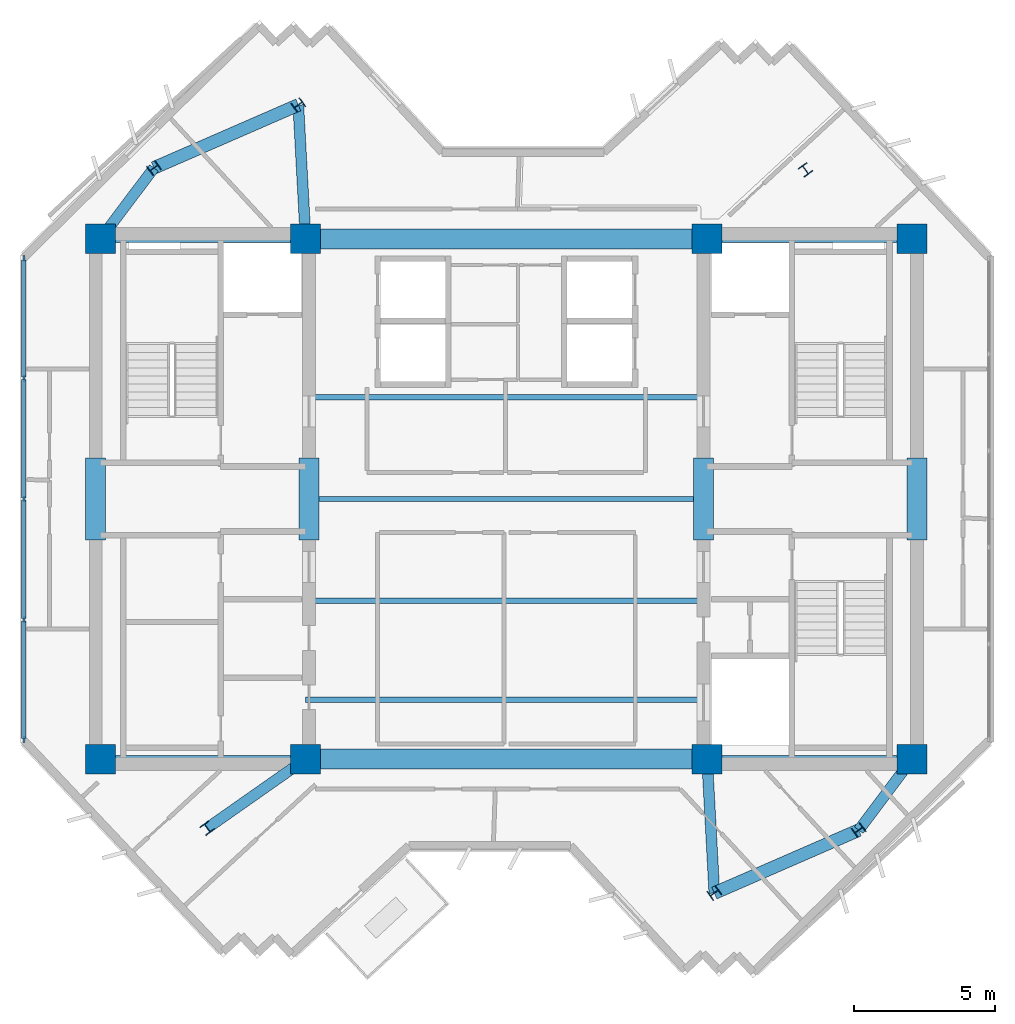
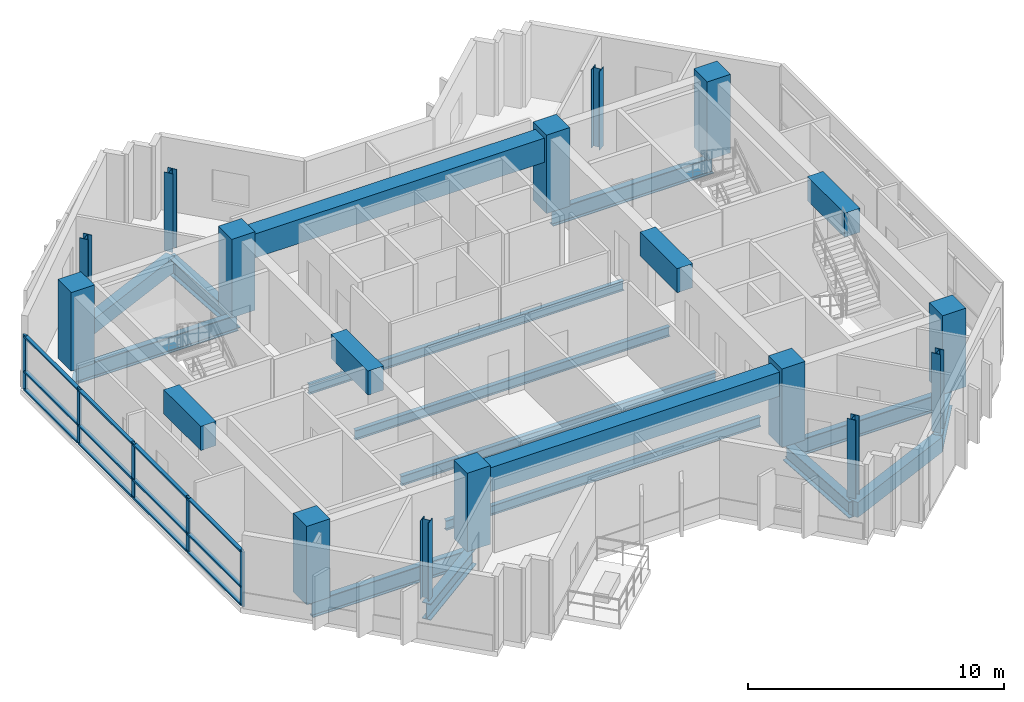
# One storey, part 1 of 9: 21 beams, 17 members, 14 columns, 1 element without a shape of its own.
"""IFC4 building model written with IfcOpenShell, lengths in metres."""

from ifc_helpers import new_model, si_unit, direction, frame, origin, origin_2d, place, context, subcontext, project, spatial, rectangle, i_section, extrude, source, transform, mapped, material, layer, layer_set, material_profile, profile_set, type_object, element, aggregate, save


model = new_model("IFC4")

# Units and contexts
model_context = context("Model", 3, precision=1e-05, world=origin(), true_north=direction((0.0, 1.0)))
body_context = subcontext(model_context, "Body", "Model", "MODEL_VIEW")
ifc_project = project(units=[si_unit("LENGTHUNIT", "METRE"), si_unit("AREAUNIT", "SQUARE_METRE"), si_unit("VOLUMEUNIT", "CUBIC_METRE"), si_unit("PLANEANGLEUNIT", "RADIAN"), si_unit("MASSUNIT", "GRAM", prefix="KILO")], contexts=[model_context])

# Site, building, storey
site_placement = place(None, origin())
site = spatial("IfcSite", under=ifc_project, at=site_placement, CompositionType="ELEMENT")
building_placement = place(site_placement, origin())
building = spatial("IfcBuilding", under=site, at=building_placement, Name="Zahravan Cultural Tower", CompositionType="ELEMENT")
storey_placement = place(building_placement, frame((0.0, 0.0, 291.60009765625)))
storey = spatial("IfcBuildingStorey", under=building, at=storey_placement, Name="L70", CompositionType="ELEMENT", Elevation=291.60009765625)

# Columns
ifc_material_1 = material(Name="Concrete C50/60", Category="concrete")
ifc_material_profile_1 = material_profile(ifc_material_1, rectangle(XDim=1.050048828125, YDim=1.050048828125, at=origin_2d()), Name="RC1050X1050")
ifc_profile_set_1 = profile_set([ifc_material_profile_1], Name="Concrete C50/60")
column_type_1 = type_object("IfcColumnType", Name="COL-RC1050", PredefinedType="COLUMN", material=ifc_profile_set_1)
shared_shape_1 = source(origin(), body_context, "Body", "SweptSolid", [
    extrude(rectangle(XDim=1.050048828125, YDim=1.050048828125, at=origin_2d()), origin(), (0.0, 0.0, 1.0), 3.75),
])
for number, where, z_axis, x_axis, name in (
    (1, (21.64990234375, 17.800048828125, 0.0), (0.0, 0.0, 1.0), (1.0, 0.0, 0.0), "L70 Column CC-W1"),
    (2, (28.89990234375, 17.800048828125, 0.0), (0.0, 0.0, 1.0), (1.0, 0.0, 0.0), "L70 Column CC-W2"),
    (3, (21.64990234375, 36.199951171875, 0.0), (0.0, 0.0, 1.0), (1.0, 0.0, 0.0), "L70 Column CC-W3"),
    (4, (28.89990234375, 36.199951171875, 0.0), (0.0, 0.0, 1.0), (1.0, 0.0, 0.0), "L70 Column CC-W4"),
    (5, (43.10009765625, 17.800048828125, 0.0), (0.0, 0.0, 1.0), (1.0, 0.0, 0.0), "L70 Column CC-E1"),
    (6, (50.35009765625, 17.800048828125, 0.0), (0.0, 0.0, 1.0), (1.0, 0.0, 0.0), "L70 Column CC-E2"),
    (7, (43.10009765625, 36.199951171875, 0.0), (0.0, 0.0, 1.0), (1.0, 0.0, 0.0), "L70 Column CC-E3"),
    (8, (50.35009765625, 36.199951171875, 0.0), (0.0, 0.0, 1.0), (1.0, 0.0, 0.0), "L70 Column CC-E4"),
):
    element("IfcColumn", number, at=place(storey_placement, frame(where, z_axis=z_axis, x_axis=x_axis)), inside=storey, type_object=column_type_1, Name=name, PredefinedType="COLUMN", context=body_context, shape_type="MappedRepresentation", body=[
        mapped(shared_shape_1, transform((0.0, 0.0, 0.0), x_axis=(1.0, 0.0, 0.0), y_axis=(0.0, 1.0, 0.0), z_axis=(0.0, 0.0, 1.0), scale=1.0)),
    ])
ifc_material_2 = material(Name="Steel ASTM A992 Grade 50", Category="steel")
ifc_material_profile_2 = material_profile(ifc_material_2, i_section(OverallWidth=0.3740234375, OverallDepth=0.3720703125, WebThickness=0.016357421875, FlangeThickness=0.026123046875, FilletRadius=0.01806640625, at=origin_2d()), Name="W14X132")
ifc_profile_set_2 = profile_set([ifc_material_profile_2], Name="Steel ASTM A992 Grade 50")
column_type_2 = type_object("IfcColumnType", Name="COL-W14X132", PredefinedType="COLUMN", material=ifc_profile_set_2)
shared_shape_2 = source(origin(), body_context, "Body", "SweptSolid", [
    extrude(i_section(OverallWidth=0.3740234375, OverallDepth=0.3720703125, WebThickness=0.016357421875, FlangeThickness=0.026123046875, FilletRadius=0.01806640625, at=origin_2d()), origin(), (0.0, 0.0, 1.0), 3.75),
])
for number, where, z_axis, x_axis, name in (
    (9, (46.577880859375, 38.640625, 0.0), (0.0, 0.0, 1.0), (0.809016994375, 0.587785252292, 0.0), "L70 Column Z3C-E2"),
    (10, (28.642578125, 40.937255859375, 0.0), (0.0, 0.0, 1.0), (-0.587785252292, 0.809016994375, 0.0), "L70 Column Z3C-N1"),
    (11, (23.536376953125, 38.710693359375, 0.0), (0.0, 0.0, 1.0), (-0.587785252292, 0.809016994375, 0.0), "L70 Column Z3C-N2"),
    (12, (25.422119140625, 15.359375, 0.0), (0.0, 0.0, 1.0), (0.809016994375, 0.587785252292, 0.0), "L70 Column Z3C-W2"),
    (13, (43.357421875, 13.062744140625, 0.0), (0.0, 0.0, 1.0), (-0.587785252292, 0.809016994375, 0.0), "L70 Column Z3C-S1"),
    (14, (48.463623046875, 15.289306640625, 0.0), (0.0, 0.0, 1.0), (-0.587785252292, 0.809016994375, 0.0), "L70 Column Z3C-S2"),
):
    element("IfcColumn", number, at=place(storey_placement, frame(where, z_axis=z_axis, x_axis=x_axis)), inside=storey, type_object=column_type_2, Name=name, PredefinedType="COLUMN", context=body_context, shape_type="MappedRepresentation", body=[
        mapped(shared_shape_2, transform((0.0, 0.0, 0.0), x_axis=(1.0, 0.0, 0.0), y_axis=(0.0, 1.0, 0.0), z_axis=(0.0, 0.0, 1.0), scale=1.0)),
    ])

# Beams
ifc_material_profile_3 = material_profile(ifc_material_1, rectangle(XDim=0.699951171875, YDim=1.14990234375, at=origin_2d()), Name="RC700X1150")
ifc_profile_set_3 = profile_set([ifc_material_profile_3], Name="Concrete C50/60")
beam_type_1 = type_object("IfcBeamType", Name="BM-LN-RC700X1150", PredefinedType="LINTEL", material=ifc_profile_set_3)
shared_shape_3 = source(origin(), body_context, "Body", "SweptSolid", [
    extrude(rectangle(XDim=0.699951171875, YDim=1.14990234375, at=origin_2d()), origin(), (0.0, 0.0, 1.0), 14.2001953125),
])
for number, where, z_axis, x_axis, name in (
    (15, (28.89990234375, 17.800048828125, 2.9248046875), (1.0, 0.0, 0.0), (0.0, 1.0, 0.0), "L70 Beam LN-L70-S"),
    (16, (28.89990234375, 36.199951171875, 2.9248046875), (1.0, 0.0, 0.0), (0.0, 1.0, 0.0), "L70 Beam LN-L70-N"),
):
    element("IfcBeam", number, at=place(storey_placement, frame(where, z_axis=z_axis, x_axis=x_axis)), inside=storey, type_object=beam_type_1, Name=name, PredefinedType="LINTEL", context=body_context, shape_type="MappedRepresentation", body=[
        mapped(shared_shape_3, transform((0.0, 0.0, 0.0), x_axis=(1.0, 0.0, 0.0), y_axis=(0.0, 1.0, 0.0), z_axis=(0.0, 0.0, 1.0), scale=1.0)),
    ])
shared_shape_4 = source(origin(), body_context, "Body", "SweptSolid", [
    extrude(rectangle(XDim=0.699951171875, YDim=1.14990234375, at=origin_2d()), origin(), (0.0, 0.0, 1.0), 2.89990234375),
])
for number, where, z_axis, x_axis, name in (
    (17, (21.47509765625, 25.550048828125, 2.9248046875), (0.0, 1.0, 0.0), (-1.0, 0.0, 0.0), "L70 Beam LN-L70-PWW"),
    (18, (29.02490234375, 25.550048828125, 2.9248046875), (0.0, 1.0, 0.0), (-1.0, 0.0, 0.0), "L70 Beam LN-L70-PWE"),
    (19, (42.97509765625, 25.550048828125, 2.9248046875), (0.0, 1.0, 0.0), (-1.0, 0.0, 0.0), "L70 Beam LN-L70-PEW"),
    (20, (50.52490234375, 25.550048828125, 2.9248046875), (0.0, 1.0, 0.0), (-1.0, 0.0, 0.0), "L70 Beam LN-L70-PEE"),
):
    element("IfcBeam", number, at=place(storey_placement, frame(where, z_axis=z_axis, x_axis=x_axis)), inside=storey, type_object=beam_type_1, Name=name, PredefinedType="LINTEL", context=body_context, shape_type="MappedRepresentation", body=[
        mapped(shared_shape_4, transform((0.0, 0.0, 0.0), x_axis=(1.0, 0.0, 0.0), y_axis=(0.0, 1.0, 0.0), z_axis=(0.0, 0.0, 1.0), scale=1.0)),
    ])
ifc_material_profile_4 = material_profile(ifc_material_2, i_section(OverallWidth=0.26611328125, OverallDepth=0.780029296875, WebThickness=0.0166015625, FlangeThickness=0.030029296875, FilletRadius=0.01904296875, at=origin_2d()), Name="W30X148")
ifc_profile_set_4 = profile_set([ifc_material_profile_4], Name="Steel ASTM A992 Grade 50")
beam_type_2 = type_object("IfcBeamType", Name="BM-G-W30X148", PredefinedType="BEAM", material=ifc_profile_set_4)
shared_shape_5 = source(origin(), body_context, "Body", "SweptSolid", [
    extrude(i_section(OverallWidth=0.26611328125, OverallDepth=0.780029296875, WebThickness=0.0166015625, FlangeThickness=0.030029296875, FilletRadius=0.01904296875, at=origin_2d()), origin(), (0.0, 0.0, 1.0), 7.25),
])
for number, where, z_axis, x_axis, name in (
    (21, (21.64990234375, 17.800048828125, -0.64013671875), (1.0, 0.0, 0.0), (0.0, 1.0, 0.0), "L70 Beam BG-L70-01"),
    (22, (21.64990234375, 36.199951171875, -0.64013671875), (1.0, 0.0, 0.0), (0.0, 1.0, 0.0), "L70 Beam BG-L70-02"),
    (23, (43.10009765625, 17.800048828125, -0.64013671875), (1.0, 0.0, 0.0), (0.0, 1.0, 0.0), "L70 Beam BG-L70-04"),
    (24, (43.10009765625, 36.199951171875, -0.64013671875), (1.0, 0.0, 0.0), (0.0, 1.0, 0.0), "L70 Beam BG-L70-05"),
):
    element("IfcBeam", number, at=place(storey_placement, frame(where, z_axis=z_axis, x_axis=x_axis)), inside=storey, type_object=beam_type_2, Name=name, PredefinedType="BEAM", context=body_context, shape_type="MappedRepresentation", body=[
        mapped(shared_shape_5, transform((0.0, 0.0, 0.0), x_axis=(1.0, 0.0, 0.0), y_axis=(0.0, 1.0, 0.0), z_axis=(0.0, 0.0, 1.0), scale=1.0)),
    ])
ifc_material_3 = material(Name="Concrete C45/55", Category="concrete")
ifc_material_profile_5 = material_profile(ifc_material_3, rectangle(XDim=0.449951171875, YDim=0.719970703125, at=origin_2d()), Name="RC450X720")
ifc_profile_set_5 = profile_set([ifc_material_profile_5], Name="Concrete C45/55")
beam_type_3 = type_object("IfcBeamType", Name="BM-SP-RC450X720", PredefinedType="SPANDREL", material=ifc_profile_set_5)
shared_shape_6 = source(origin(), body_context, "Body", "SweptSolid", [
    extrude(rectangle(XDim=0.449951171875, YDim=0.719970703125, at=origin_2d()), origin(), (0.0, 0.0, 1.0), 5.570556640625),
])
for number, where, z_axis, x_axis, name in (
    (25, (43.357421875, 13.062744140625, -0.610107421875), (0.9166445026, 0.399703459896, 0.0), (-0.399703459896, 0.9166445026, 0.0), "L70 Beam SP-L70-12"),
    (26, (28.642578125, 40.937255859375, -0.610107421875), (-0.9166445026, -0.399703459896, 0.0), (0.399703459896, -0.9166445026, 0.0), "L70 Beam SP-L70-13"),
):
    element("IfcBeam", number, at=place(storey_placement, frame(where, z_axis=z_axis, x_axis=x_axis)), inside=storey, type_object=beam_type_3, Name=name, PredefinedType="SPANDREL", context=body_context, shape_type="MappedRepresentation", body=[
        mapped(shared_shape_6, transform((0.0, 0.0, 0.0), x_axis=(1.0, 0.0, 0.0), y_axis=(0.0, 1.0, 0.0), z_axis=(0.0, 0.0, 1.0), scale=1.0)),
    ])
ifc_material_profile_6 = material_profile(ifc_material_2, i_section(OverallWidth=0.18994140625, OverallDepth=0.45703125, WebThickness=0.009033203125, FlangeThickness=0.014404296875, FilletRadius=0.012939453125, at=origin_2d()), Name="W18X50")
ifc_profile_set_6 = profile_set([ifc_material_profile_6], Name="Steel ASTM A992 Grade 50")
beam_type_4 = type_object("IfcBeamType", Name="BM-J-W18X50", PredefinedType="JOIST", material=ifc_profile_set_6)
shared_shape_7 = source(origin(), body_context, "Body", "SweptSolid", [
    extrude(i_section(OverallWidth=0.18994140625, OverallDepth=0.45703125, WebThickness=0.009033203125, FlangeThickness=0.014404296875, FilletRadius=0.012939453125, at=origin_2d()), origin(), (0.0, 0.0, 1.0), 14.2001953125),
])
for number, where, z_axis, x_axis, name in (
    (27, (28.89990234375, 19.89990234375, -0.478515625), (1.0, 0.0, 0.0), (0.0, 1.0, 0.0), "L70 Beam BJ-L70-14"),
    (28, (28.89990234375, 23.39990234375, -0.478515625), (1.0, 0.0, 0.0), (0.0, 1.0, 0.0), "L70 Beam BJ-L70-15"),
    (29, (28.89990234375, 27.0, -0.478515625), (1.0, 0.0, 0.0), (0.0, 1.0, 0.0), "L70 Beam BJ-L70-16"),
    (30, (28.89990234375, 30.60009765625, -0.478515625), (1.0, 0.0, 0.0), (0.0, 1.0, 0.0), "L70 Beam BJ-L70-17"),
):
    element("IfcBeam", number, at=place(storey_placement, frame(where, z_axis=z_axis, x_axis=x_axis)), inside=storey, type_object=beam_type_4, Name=name, PredefinedType="JOIST", context=body_context, shape_type="MappedRepresentation", body=[
        mapped(shared_shape_7, transform((0.0, 0.0, 0.0), x_axis=(1.0, 0.0, 0.0), y_axis=(0.0, 1.0, 0.0), z_axis=(0.0, 0.0, 1.0), scale=1.0)),
    ])
ifc_material_profile_7 = material_profile(ifc_material_2, i_section(OverallWidth=0.382080078125, OverallDepth=0.779052734375, WebThickness=0.01806640625, FlangeThickness=0.030029296875, FilletRadius=0.01904296875, at=origin_2d()), Name="W30X191")
ifc_profile_set_7 = profile_set([ifc_material_profile_7], Name="Steel ASTM A992 Grade 50")
beam_type_5 = type_object("IfcBeamType", Name="BM-G-W30X191", PredefinedType="BEAM", material=ifc_profile_set_7)
shared_shape_8 = source(origin(), body_context, "Body", "SweptSolid", [
    extrude(i_section(OverallWidth=0.382080078125, OverallDepth=0.779052734375, WebThickness=0.01806640625, FlangeThickness=0.030029296875, FilletRadius=0.01904296875, at=origin_2d()), origin(), (0.0, 0.0, 1.0), 4.248779296875),
])
beam_placement = place(storey_placement, frame((28.89990234375, 17.800048828125, -0.6396484375), z_axis=(-0.81854294596, -0.574445337365, 0.0), x_axis=(0.574445337365, -0.81854294596, 0.0)))
element("IfcBeam", 31, at=beam_placement, inside=storey, type_object=beam_type_5, Name="L70 Beam BG-L70-07", PredefinedType="BEAM", context=body_context, shape_type="MappedRepresentation", body=[
    mapped(shared_shape_8, transform((0.0, 0.0, 0.0), x_axis=(1.0, 0.0, 0.0), y_axis=(0.0, 1.0, 0.0), z_axis=(0.0, 0.0, 1.0), scale=1.0)),
])
shared_shape_9 = source(origin(), body_context, "Body", "SweptSolid", [
    extrude(i_section(OverallWidth=0.382080078125, OverallDepth=0.779052734375, WebThickness=0.01806640625, FlangeThickness=0.030029296875, FilletRadius=0.01904296875, at=origin_2d()), origin(), (0.0, 0.0, 1.0), 4.744384765625),
])
for number, where, z_axis, x_axis, name in (
    (32, (43.10009765625, 17.800048828125, -0.6396484375), (0.054238739845, -0.998527996152, 0.0), (0.998527996152, 0.054238739845, 0.0), "L70 Beam BG-L70-08"),
    (33, (28.89990234375, 36.199951171875, -0.6396484375), (-0.054238739845, 0.998527996152, 0.0), (-0.998527996152, -0.054238739845, 0.0), "L70 Beam BG-L70-10"),
):
    element("IfcBeam", number, at=place(storey_placement, frame(where, z_axis=z_axis, x_axis=x_axis)), inside=storey, type_object=beam_type_5, Name=name, PredefinedType="BEAM", context=body_context, shape_type="MappedRepresentation", body=[
        mapped(shared_shape_9, transform((0.0, 0.0, 0.0), x_axis=(1.0, 0.0, 0.0), y_axis=(0.0, 1.0, 0.0), z_axis=(0.0, 0.0, 1.0), scale=1.0)),
    ])
shared_shape_10 = source(origin(), body_context, "Body", "SweptSolid", [
    extrude(i_section(OverallWidth=0.382080078125, OverallDepth=0.779052734375, WebThickness=0.01806640625, FlangeThickness=0.030029296875, FilletRadius=0.01904296875, at=origin_2d()), origin(), (0.0, 0.0, 1.0), 3.140380859375),
])
for number, where, z_axis, x_axis, name in (
    (34, (50.35009765625, 17.800048828125, -0.6396484375), (-0.600696322208, -0.799477284534, 0.0), (0.799477284534, -0.600696322208, 0.0), "L70 Beam BG-L70-09"),
    (35, (21.64990234375, 36.199951171875, -0.6396484375), (0.600696322208, 0.799477284534, 0.0), (-0.799477284534, 0.600696322208, 0.0), "L70 Beam BG-L70-11"),
):
    element("IfcBeam", number, at=place(storey_placement, frame(where, z_axis=z_axis, x_axis=x_axis)), inside=storey, type_object=beam_type_5, Name=name, PredefinedType="BEAM", context=body_context, shape_type="MappedRepresentation", body=[
        mapped(shared_shape_10, transform((0.0, 0.0, 0.0), x_axis=(1.0, 0.0, 0.0), y_axis=(0.0, 1.0, 0.0), z_axis=(0.0, 0.0, 1.0), scale=1.0)),
    ])

# Curtain wall, members
ifc_material_4 = material(Name="Anodised bronze-aluminium mullion", Category="aluminium")
ifc_layer = layer(ifc_material_4, 0.219970703125)
ifc_layer_set = layer_set([ifc_layer], Name="Anodised bronze-aluminium mullion")
curtain_wall_type = type_object("IfcCurtainWallType", Name="CW-SYS-1", PredefinedType="USERDEFINED", material=ifc_layer_set)
curtain_wall_placement = place(storey_placement, origin())
curtain_wall = element("IfcCurtainWall", 36, at=curtain_wall_placement, inside=storey, type_object=curtain_wall_type, Name="L70 Recessed Curtain Wall CW-1.2", ObjectType="RECESSED GLAZING", PredefinedType="USERDEFINED")
ifc_material_profile_8 = material_profile(ifc_material_4, rectangle(XDim=0.080078125, YDim=0.219970703125, at=origin_2d()), Name="AL-M80X220")
ifc_profile_set_8 = profile_set([ifc_material_profile_8], Name="Anodised bronze-aluminium mullion")
member_type_1 = type_object("IfcMemberType", Name="CWM-CW-1", PredefinedType="MULLION", material=ifc_profile_set_8)
shared_shape_11 = source(origin(), body_context, "Body", "SweptSolid", [
    extrude(rectangle(XDim=0.080078125, YDim=0.219970703125, at=origin_2d()), origin(), (0.0, 0.0, 1.0), 2.619873046875),
])
member_1_placement = place(storey_placement, frame((18.93994140625, 18.498046875, 0.0), z_axis=(0.0, 0.0, 1.0), x_axis=(-1.0, 0.0, 0.0)))
member_1 = element("IfcMember", 37, at=member_1_placement, type_object=member_type_1, Name="CW-1 mullion 1", PredefinedType="MULLION", context=body_context, shape_type="MappedRepresentation", body=[
    mapped(shared_shape_11, transform((0.0, 0.0, 0.0), x_axis=(1.0, 0.0, 0.0), y_axis=(0.0, 1.0, 0.0), z_axis=(0.0, 0.0, 1.0), scale=1.0)),
])
member_2_placement = place(storey_placement, frame((18.93994140625, 22.72900390625, 0.0), z_axis=(0.0, 0.0, 1.0), x_axis=(-1.0, 0.0, 0.0)))
member_2 = element("IfcMember", 38, at=member_2_placement, type_object=member_type_1, Name="CW-1 mullion 2", PredefinedType="MULLION", context=body_context, shape_type="MappedRepresentation", body=[
    mapped(shared_shape_11, transform((0.0, 0.0, 0.0), x_axis=(1.0, 0.0, 0.0), y_axis=(0.0, 1.0, 0.0), z_axis=(0.0, 0.0, 1.0), scale=1.0)),
])
member_3_placement = place(storey_placement, frame((18.93994140625, 27.0, 0.0), z_axis=(0.0, 0.0, 1.0), x_axis=(-1.0, 0.0, 0.0)))
member_3 = element("IfcMember", 39, at=member_3_placement, type_object=member_type_1, Name="CW-1 mullion 3", PredefinedType="MULLION", context=body_context, shape_type="MappedRepresentation", body=[
    mapped(shared_shape_11, transform((0.0, 0.0, 0.0), x_axis=(1.0, 0.0, 0.0), y_axis=(0.0, 1.0, 0.0), z_axis=(0.0, 0.0, 1.0), scale=1.0)),
])
member_4_placement = place(storey_placement, frame((18.93994140625, 31.27099609375, 0.0), z_axis=(0.0, 0.0, 1.0), x_axis=(-1.0, 0.0, 0.0)))
member_4 = element("IfcMember", 40, at=member_4_placement, type_object=member_type_1, Name="CW-1 mullion 4", PredefinedType="MULLION", context=body_context, shape_type="MappedRepresentation", body=[
    mapped(shared_shape_11, transform((0.0, 0.0, 0.0), x_axis=(1.0, 0.0, 0.0), y_axis=(0.0, 1.0, 0.0), z_axis=(0.0, 0.0, 1.0), scale=1.0)),
])
member_5_placement = place(storey_placement, frame((18.93994140625, 35.501953125, 0.0), z_axis=(0.0, 0.0, 1.0), x_axis=(-1.0, 0.0, 0.0)))
member_5 = element("IfcMember", 41, at=member_5_placement, type_object=member_type_1, Name="CW-1 mullion 5", PredefinedType="MULLION", context=body_context, shape_type="MappedRepresentation", body=[
    mapped(shared_shape_11, transform((0.0, 0.0, 0.0), x_axis=(1.0, 0.0, 0.0), y_axis=(0.0, 1.0, 0.0), z_axis=(0.0, 0.0, 1.0), scale=1.0)),
])
ifc_material_profile_9 = material_profile(ifc_material_4, rectangle(XDim=0.159912109375, YDim=0.080078125, at=origin_2d()), Name="AL-T80X160")
ifc_profile_set_9 = profile_set([ifc_material_profile_9], Name="Anodised bronze-aluminium mullion")
member_type_2 = type_object("IfcMemberType", Name="CWT-CW-1", PredefinedType="USERDEFINED", material=ifc_profile_set_9)
shared_shape_12 = source(origin(), body_context, "Body", "SweptSolid", [
    extrude(rectangle(XDim=0.159912109375, YDim=0.080078125, at=origin_2d()), origin(), (0.0, 0.0, 1.0), 4.15087890625),
])
member_6_placement = place(storey_placement, frame((18.93994140625, 18.5380859375, 0.039794921875), z_axis=(0.0, 1.0, 0.0), x_axis=(-1.0, 0.0, 0.0)))
member_6 = element("IfcMember", 42, at=member_6_placement, type_object=member_type_2, Name="CW-1 transom 1.1", ObjectType="TRANSOM", PredefinedType="USERDEFINED", context=body_context, shape_type="MappedRepresentation", body=[
    mapped(shared_shape_12, transform((0.0, 0.0, 0.0), x_axis=(1.0, 0.0, 0.0), y_axis=(0.0, 1.0, 0.0), z_axis=(0.0, 0.0, 1.0), scale=1.0)),
])
member_7_placement = place(storey_placement, frame((18.93994140625, 18.5380859375, 0.89990234375), z_axis=(0.0, 1.0, 0.0), x_axis=(-1.0, 0.0, 0.0)))
member_7 = element("IfcMember", 43, at=member_7_placement, type_object=member_type_2, Name="CW-1 transom 1.2", ObjectType="TRANSOM", PredefinedType="USERDEFINED", context=body_context, shape_type="MappedRepresentation", body=[
    mapped(shared_shape_12, transform((0.0, 0.0, 0.0), x_axis=(1.0, 0.0, 0.0), y_axis=(0.0, 1.0, 0.0), z_axis=(0.0, 0.0, 1.0), scale=1.0)),
])
member_8_placement = place(storey_placement, frame((18.93994140625, 18.5380859375, 2.579833984375), z_axis=(0.0, 1.0, 0.0), x_axis=(-1.0, 0.0, 0.0)))
member_8 = element("IfcMember", 44, at=member_8_placement, type_object=member_type_2, Name="CW-1 transom 1.3", ObjectType="TRANSOM", PredefinedType="USERDEFINED", context=body_context, shape_type="MappedRepresentation", body=[
    mapped(shared_shape_12, transform((0.0, 0.0, 0.0), x_axis=(1.0, 0.0, 0.0), y_axis=(0.0, 1.0, 0.0), z_axis=(0.0, 0.0, 1.0), scale=1.0)),
])
member_9_placement = place(storey_placement, frame((18.93994140625, 31.31103515625, 0.039794921875), z_axis=(0.0, 1.0, 0.0), x_axis=(-1.0, 0.0, 0.0)))
member_9 = element("IfcMember", 45, at=member_9_placement, type_object=member_type_2, Name="CW-1 transom 4.1", ObjectType="TRANSOM", PredefinedType="USERDEFINED", context=body_context, shape_type="MappedRepresentation", body=[
    mapped(shared_shape_12, transform((0.0, 0.0, 0.0), x_axis=(1.0, 0.0, 0.0), y_axis=(0.0, 1.0, 0.0), z_axis=(0.0, 0.0, 1.0), scale=1.0)),
])
member_10_placement = place(storey_placement, frame((18.93994140625, 31.31103515625, 0.89990234375), z_axis=(0.0, 1.0, 0.0), x_axis=(-1.0, 0.0, 0.0)))
member_10 = element("IfcMember", 46, at=member_10_placement, type_object=member_type_2, Name="CW-1 transom 4.2", ObjectType="TRANSOM", PredefinedType="USERDEFINED", context=body_context, shape_type="MappedRepresentation", body=[
    mapped(shared_shape_12, transform((0.0, 0.0, 0.0), x_axis=(1.0, 0.0, 0.0), y_axis=(0.0, 1.0, 0.0), z_axis=(0.0, 0.0, 1.0), scale=1.0)),
])
member_11_placement = place(storey_placement, frame((18.93994140625, 31.31103515625, 2.579833984375), z_axis=(0.0, 1.0, 0.0), x_axis=(-1.0, 0.0, 0.0)))
member_11 = element("IfcMember", 47, at=member_11_placement, type_object=member_type_2, Name="CW-1 transom 4.3", ObjectType="TRANSOM", PredefinedType="USERDEFINED", context=body_context, shape_type="MappedRepresentation", body=[
    mapped(shared_shape_12, transform((0.0, 0.0, 0.0), x_axis=(1.0, 0.0, 0.0), y_axis=(0.0, 1.0, 0.0), z_axis=(0.0, 0.0, 1.0), scale=1.0)),
])
shared_shape_13 = source(origin(), body_context, "Body", "SweptSolid", [
    extrude(rectangle(XDim=0.159912109375, YDim=0.080078125, at=origin_2d()), origin(), (0.0, 0.0, 1.0), 4.19091796875),
])
member_12_placement = place(storey_placement, frame((18.93994140625, 22.76904296875, 0.039794921875), z_axis=(0.0, 1.0, 0.0), x_axis=(-1.0, 0.0, 0.0)))
member_12 = element("IfcMember", 48, at=member_12_placement, type_object=member_type_2, Name="CW-1 transom 2.1", ObjectType="TRANSOM", PredefinedType="USERDEFINED", context=body_context, shape_type="MappedRepresentation", body=[
    mapped(shared_shape_13, transform((0.0, 0.0, 0.0), x_axis=(1.0, 0.0, 0.0), y_axis=(0.0, 1.0, 0.0), z_axis=(0.0, 0.0, 1.0), scale=1.0)),
])
member_13_placement = place(storey_placement, frame((18.93994140625, 22.76904296875, 0.89990234375), z_axis=(0.0, 1.0, 0.0), x_axis=(-1.0, 0.0, 0.0)))
member_13 = element("IfcMember", 49, at=member_13_placement, type_object=member_type_2, Name="CW-1 transom 2.2", ObjectType="TRANSOM", PredefinedType="USERDEFINED", context=body_context, shape_type="MappedRepresentation", body=[
    mapped(shared_shape_13, transform((0.0, 0.0, 0.0), x_axis=(1.0, 0.0, 0.0), y_axis=(0.0, 1.0, 0.0), z_axis=(0.0, 0.0, 1.0), scale=1.0)),
])
member_14_placement = place(storey_placement, frame((18.93994140625, 22.76904296875, 2.579833984375), z_axis=(0.0, 1.0, 0.0), x_axis=(-1.0, 0.0, 0.0)))
member_14 = element("IfcMember", 50, at=member_14_placement, type_object=member_type_2, Name="CW-1 transom 2.3", ObjectType="TRANSOM", PredefinedType="USERDEFINED", context=body_context, shape_type="MappedRepresentation", body=[
    mapped(shared_shape_13, transform((0.0, 0.0, 0.0), x_axis=(1.0, 0.0, 0.0), y_axis=(0.0, 1.0, 0.0), z_axis=(0.0, 0.0, 1.0), scale=1.0)),
])
member_15_placement = place(storey_placement, frame((18.93994140625, 27.0400390625, 0.039794921875), z_axis=(0.0, 1.0, 0.0), x_axis=(-1.0, 0.0, 0.0)))
member_15 = element("IfcMember", 51, at=member_15_placement, type_object=member_type_2, Name="CW-1 transom 3.1", ObjectType="TRANSOM", PredefinedType="USERDEFINED", context=body_context, shape_type="MappedRepresentation", body=[
    mapped(shared_shape_13, transform((0.0, 0.0, 0.0), x_axis=(1.0, 0.0, 0.0), y_axis=(0.0, 1.0, 0.0), z_axis=(0.0, 0.0, 1.0), scale=1.0)),
])
member_16_placement = place(storey_placement, frame((18.93994140625, 27.0400390625, 0.89990234375), z_axis=(0.0, 1.0, 0.0), x_axis=(-1.0, 0.0, 0.0)))
member_16 = element("IfcMember", 52, at=member_16_placement, type_object=member_type_2, Name="CW-1 transom 3.2", ObjectType="TRANSOM", PredefinedType="USERDEFINED", context=body_context, shape_type="MappedRepresentation", body=[
    mapped(shared_shape_13, transform((0.0, 0.0, 0.0), x_axis=(1.0, 0.0, 0.0), y_axis=(0.0, 1.0, 0.0), z_axis=(0.0, 0.0, 1.0), scale=1.0)),
])
member_17_placement = place(storey_placement, frame((18.93994140625, 27.0400390625, 2.579833984375), z_axis=(0.0, 1.0, 0.0), x_axis=(-1.0, 0.0, 0.0)))
member_17 = element("IfcMember", 53, at=member_17_placement, type_object=member_type_2, Name="CW-1 transom 3.3", ObjectType="TRANSOM", PredefinedType="USERDEFINED", context=body_context, shape_type="MappedRepresentation", body=[
    mapped(shared_shape_13, transform((0.0, 0.0, 0.0), x_axis=(1.0, 0.0, 0.0), y_axis=(0.0, 1.0, 0.0), z_axis=(0.0, 0.0, 1.0), scale=1.0)),
])
aggregate(curtain_wall, [member_1, member_2, member_3, member_4, member_5, member_6, member_7, member_8, member_12, member_13, member_14, member_15, member_16, member_17, member_9, member_10, member_11])

save(model, "model.ifc")
